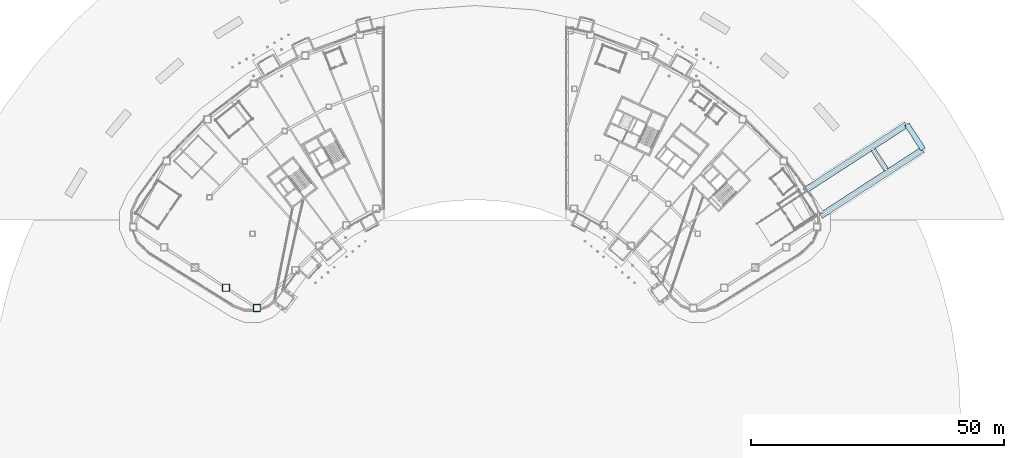
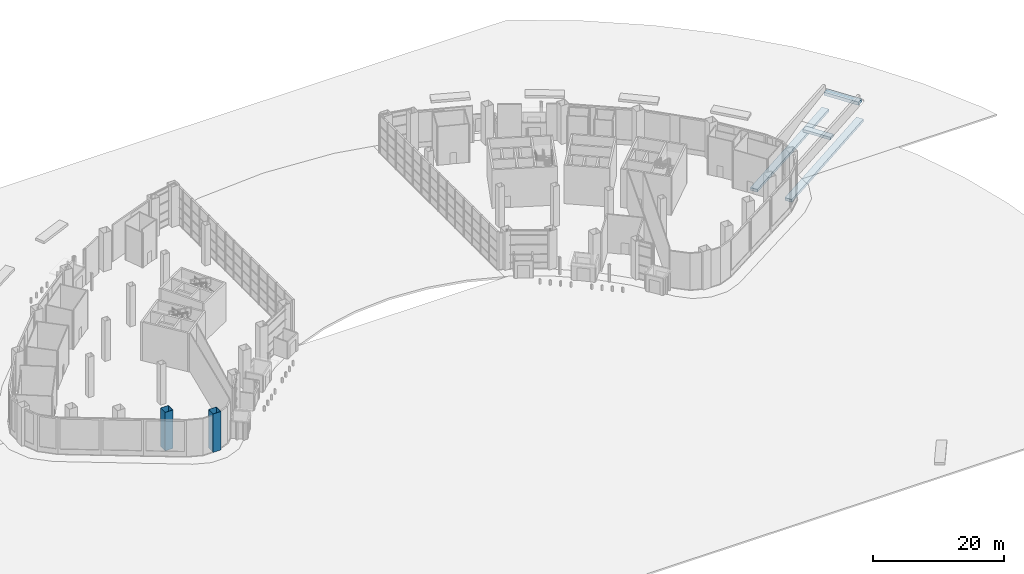
# One storey, part 1 of 45: 4 footings, 2 columns.
"""IFC4 building model written with IfcOpenShell, lengths in metres."""

from ifc_helpers import new_model, si_unit, direction, frame, origin, origin_2d, place, context, subcontext, project, spatial, polyline, hollow_rectangle, outline, extrude, material, material_profile, profile_set, type_object, element, save


model = new_model("IFC4")

# Units and contexts
model_context = context("Model", 3, precision=1e-05, world=origin(), true_north=direction((0.0, 1.0)))
body_context = subcontext(model_context, "Body", "Model", "MODEL_VIEW")
ifc_project = project(units=[si_unit("LENGTHUNIT", "METRE"), si_unit("AREAUNIT", "SQUARE_METRE"), si_unit("VOLUMEUNIT", "CUBIC_METRE"), si_unit("PLANEANGLEUNIT", "RADIAN"), si_unit("MASSUNIT", "GRAM", prefix="KILO")], contexts=[model_context])

# Site, building, storey
site_placement = place(None, origin())
site = spatial("IfcSite", under=ifc_project, at=site_placement, CompositionType="ELEMENT")
building_placement = place(site_placement, origin())
building = spatial("IfcBuilding", under=site, at=building_placement, Name="Tuul Gate Civic Tower", CompositionType="ELEMENT")
storey_placement = place(building_placement, origin())
storey = spatial("IfcBuildingStorey", under=building, at=storey_placement, Name="Level 00", CompositionType="ELEMENT", Elevation=0.0)

# Footings
ifc_material_1 = material(Name="Concrete C40/50", Category="concrete")
footing_type_1 = type_object("IfcFootingType", Name="STR-RAMP-FOOTING-1040X5900X600", PredefinedType="STRIP_FOOTING", material=ifc_material_1)
footing_1_placement = place(storey_placement, frame((0.0, 0.0, -0.89892578125)))
element("IfcFooting", 1, at=footing_1_placement, inside=storey, type_object=footing_type_1, Name="ramp/R1/head-footing", PredefinedType="STRIP_FOOTING", context=body_context, shape_type="SweptSolid", body=[
    extrude(outline(polyline([(85.73583984375, -0.804931640625), (84.86376953125, -1.371337890625), (88.0771484375, -6.319580078125), (88.94921875, -5.753173828125), (85.73583984375, -0.804931640625)])), origin(), (0.0, 0.0, 1.0), 0.599853515625),
])
ifc_material_2 = material(Name="Concrete C40/50", Category="concrete")
footing_type_2 = type_object("IfcFootingType", Name="STR-RAMP-FOOTING-24010X1200X500", PredefinedType="STRIP_FOOTING", material=ifc_material_2)
footing_2_placement = place(storey_placement, frame((0.0, 0.0, -4.0009765625)))
element("IfcFooting", 2, at=footing_2_placement, inside=storey, type_object=footing_type_2, Name="ramp/R1/side/left/footing", PredefinedType="STRIP_FOOTING", context=body_context, shape_type="SweptSolid", body=[
    extrude(outline(polyline([(88.1025390625, -5.587646484375), (67.966064453125, -18.664306640625), (68.61962890625, -19.6708984375), (88.756103515625, -6.593994140625), (88.1025390625, -5.587646484375)])), origin(), (0.0, 0.0, 1.0), 0.5),
])
footing_3_placement = place(storey_placement, frame((0.0, 0.0, -4.0009765625)))
element("IfcFooting", 3, at=footing_3_placement, inside=storey, type_object=footing_type_2, Name="ramp/R1/side/right/footing", PredefinedType="STRIP_FOOTING", context=body_context, shape_type="SweptSolid", body=[
    extrude(outline(polyline([(84.88916015625, -0.639404296875), (64.752685546875, -13.71630859375), (65.40625, -14.72265625), (85.542724609375, -1.645751953125), (84.88916015625, -0.639404296875)])), origin(), (0.0, 0.0, 1.0), 0.5),
])
ifc_material_3 = material(Name="Concrete C40/50", Category="concrete")
footing_type_3 = type_object("IfcFootingType", Name="STR-RAMP-FOOTING-4700X1000X500", PredefinedType="STRIP_FOOTING", material=ifc_material_3)
footing_4_placement = place(storey_placement, frame((0.0, 0.0, -2.364990234375)))
element("IfcFooting", 4, at=footing_4_placement, inside=storey, type_object=footing_type_3, Name="ramp/R1/support/1/footing", PredefinedType="STRIP_FOOTING", context=body_context, shape_type="SweptSolid", body=[
    extrude(outline(polyline([(78.245361328125, -6.384765625), (80.80517578125, -10.326416015625), (81.64404296875, -9.781982421875), (79.084228515625, -5.840087890625), (78.245361328125, -6.384765625)])), origin(), (0.0, 0.0, 1.0), 0.5),
])

# Columns
ifc_material_4 = material(Name="Steel S355", Category="steel")
ifc_material_profile = material_profile(ifc_material_4, hollow_rectangle(XDim=1.39990234375, YDim=1.39990234375, WallThickness=0.0400390625, at=origin_2d()), Name="BOX1400x1400x40")
ifc_profile_set = profile_set([ifc_material_profile], Name="Steel S355")
column_type = type_object("IfcColumnType", Name="STR-COLUMN-BOX1400x1400x40", PredefinedType="COLUMN", material=ifc_profile_set)
for number, where, z_axis, x_axis, name in (
    (5, (-49.218017578125, -33.3720703125, 0.0), (0.0, 0.0, 1.0), (1.0, 0.0, 0.0), "Column"),
    (6, (-43.10302734375, -37.3740234375, 0.0), (0.0, 0.0, 1.0), (1.0, 0.0, 0.0), "Column"),
):
    element("IfcColumn", number, at=place(storey_placement, frame(where, z_axis=z_axis, x_axis=x_axis)), inside=storey, type_object=column_type, Name=name, PredefinedType="COLUMN", context=body_context, shape_type="SweptSolid", body=[
        extrude(hollow_rectangle(XDim=1.39990234375, YDim=1.39990234375, WallThickness=0.0400390625, at=origin_2d()), origin(), (0.0, 0.0, 1.0), 7.14990234375),
    ])

save(model, "model.ifc")
